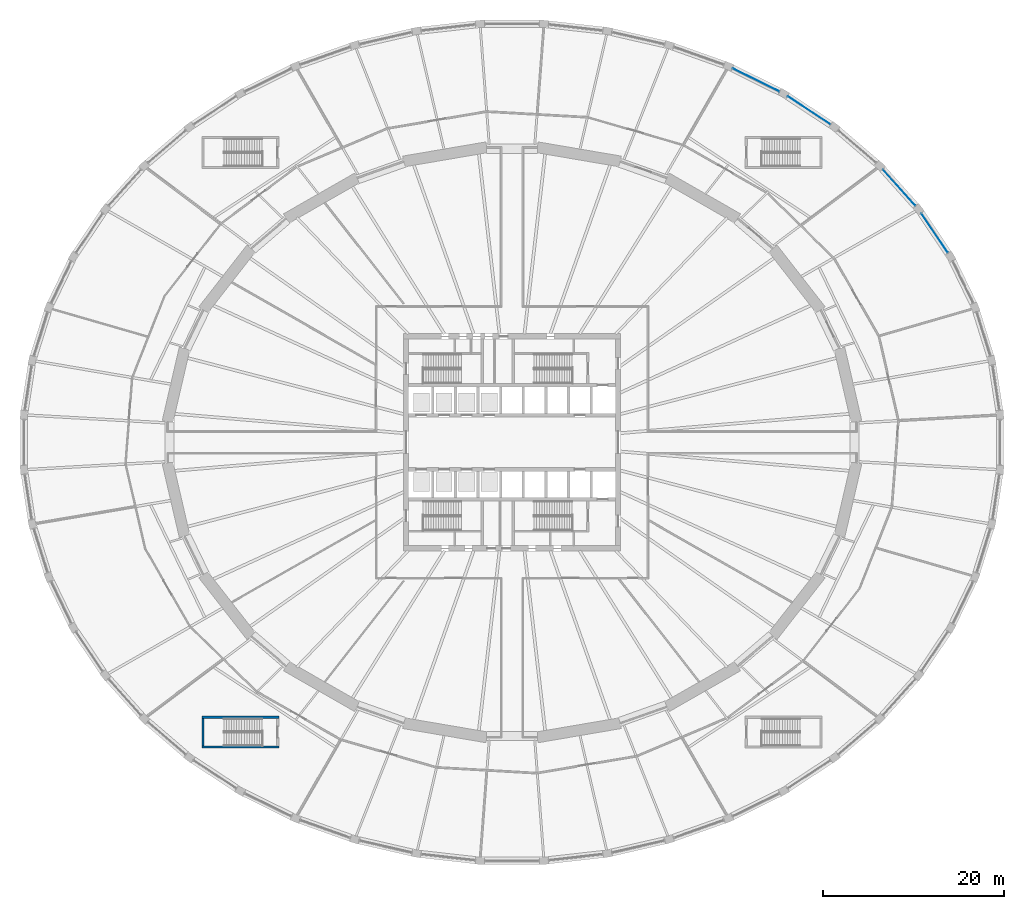
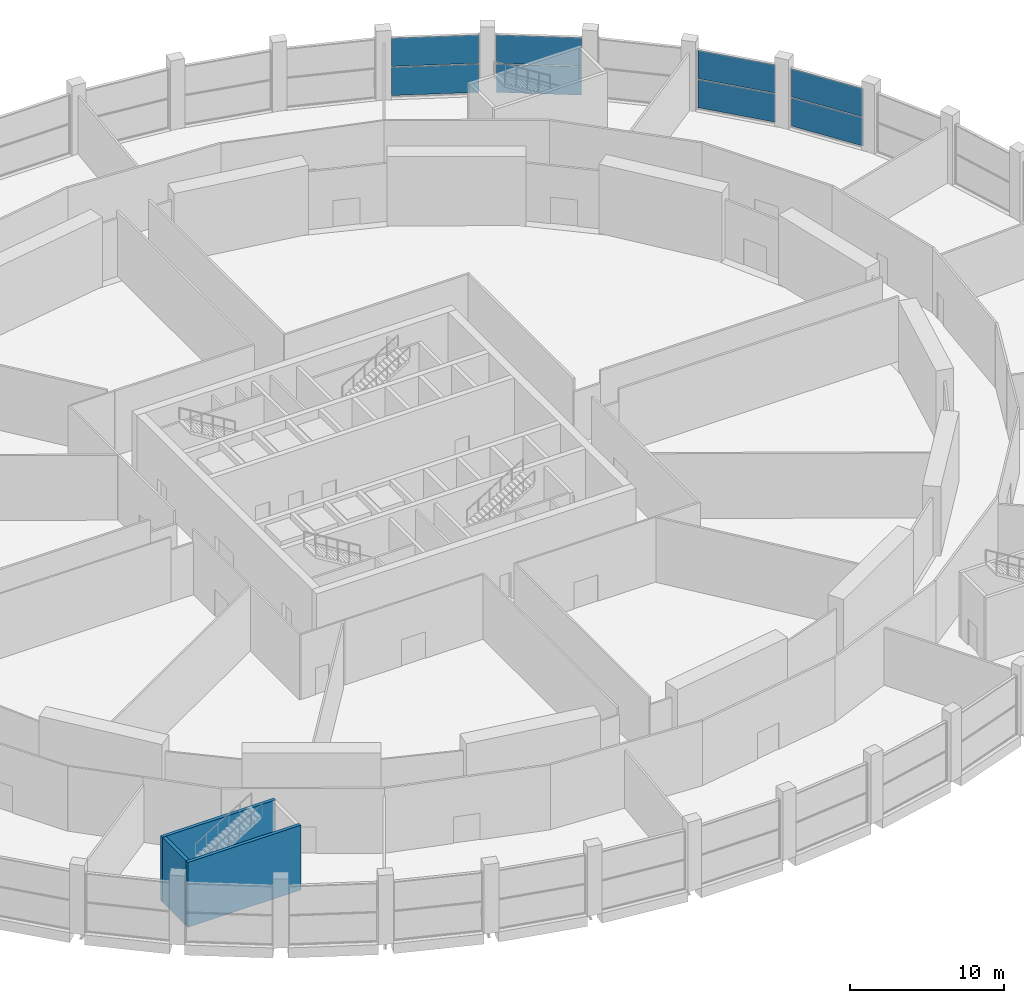
# One storey, part 20 of 29: 8 plates, 3 walls, 4 elements without a shape of their own.
"""IFC4 building model written with IfcOpenShell, lengths in metres."""

from ifc_helpers import new_model, si_unit, direction, frame, frame_2d, origin, origin_2d, place, context, subcontext, project, spatial, rectangle, extrude, material, layer, layer_set, type_object, element, aggregate, save


model = new_model("IFC4")

# Units and contexts
model_context = context("Model", 3, precision=1e-05, world=origin(), true_north=direction((0.0, 1.0)))
body_context = subcontext(model_context, "Body", "Model", "MODEL_VIEW")
ifc_project = project(units=[si_unit("LENGTHUNIT", "METRE"), si_unit("AREAUNIT", "SQUARE_METRE"), si_unit("VOLUMEUNIT", "CUBIC_METRE"), si_unit("PLANEANGLEUNIT", "RADIAN"), si_unit("MASSUNIT", "GRAM", prefix="KILO")], contexts=[model_context])

# Site, building, storey
site_placement = place(None, origin())
site = spatial("IfcSite", under=ifc_project, at=site_placement, CompositionType="ELEMENT")
building_placement = place(site_placement, origin())
building = spatial("IfcBuilding", under=site, at=building_placement, Name="Halqa Exchange Tower", CompositionType="ELEMENT")
storey_placement = place(building_placement, frame((0.0, 0.0, 7.0)))
storey = spatial("IfcBuildingStorey", under=building, at=storey_placement, Name="L01", CompositionType="ELEMENT", Elevation=7.0)

# Curtain wall, plates
ifc_material_1 = material(Name="Anodised aluminium and clear glass", Category="aluminium")
curtain_wall_type = type_object("IfcCurtainWallType", Name="Exchange hall glazing", PredefinedType="NOTDEFINED", material=ifc_material_1)
curtain_wall_1_placement = place(storey_placement, origin())
curtain_wall_1 = element("IfcCurtainWall", 1, at=curtain_wall_1_placement, inside=storey, type_object=curtain_wall_type, Name="Exchange hall glazing run P4", PredefinedType="NOTDEFINED")
ifc_material_2 = material(Name="Clear glass", Category="glass")
ifc_layer_1 = layer(ifc_material_2, 0.035888671875)
ifc_layer_set_1 = layer_set([ifc_layer_1], Name="Clear glass")
plate_type = type_object("IfcPlateType", Name="Laminated clear glass panel 36", PredefinedType="CURTAIN_PANEL", material=ifc_layer_set_1)
plate_1_placement = place(storey_placement, frame((46.665283203125, 23.100341796875, 0.06982421875), z_axis=(0.0, 0.0, 1.0), x_axis=(-0.55852230535, 0.8294895023, 0.0)))
plate_1 = element("IfcPlate", 2, at=plate_1_placement, type_object=plate_type, Name="P4 panel 1.1", PredefinedType="CURTAIN_PANEL", context=body_context, shape_type="SweptSolid", body=[
    extrude(rectangle(XDim=5.18310546875, YDim=0.035888671875, at=origin_2d()), origin(), (0.0, 0.0, 1.0), 2.2451171875),
])
plate_2_placement = place(storey_placement, frame((46.665283203125, 23.100341796875, 2.385009765625), z_axis=(0.0, 0.0, 1.0), x_axis=(-0.55852230535, 0.8294895023, 0.0)))
plate_2 = element("IfcPlate", 3, at=plate_2_placement, type_object=plate_type, Name="P4 panel 1.2", PredefinedType="CURTAIN_PANEL", context=body_context, shape_type="SweptSolid", body=[
    extrude(rectangle(XDim=5.18310546875, YDim=0.035888671875, at=origin_2d()), origin(), (0.0, 0.0, 1.0), 2.2451171875),
])
aggregate(curtain_wall_1, [plate_1, plate_2])

curtain_wall_2_placement = place(storey_placement, origin())
curtain_wall_2 = element("IfcCurtainWall", 4, at=curtain_wall_2_placement, inside=storey, type_object=curtain_wall_type, Name="Exchange hall glazing run P5", PredefinedType="NOTDEFINED")
plate_3_placement = place(storey_placement, frame((42.749267578125, 28.125244140625, 0.06982421875), z_axis=(0.0, 0.0, 1.0), x_axis=(-0.666899477539, 0.74514769466, 0.0)))
plate_3 = element("IfcPlate", 5, at=plate_3_placement, type_object=plate_type, Name="P5 panel 1.1", PredefinedType="CURTAIN_PANEL", context=body_context, shape_type="SweptSolid", body=[
    extrude(rectangle(XDim=5.30810546875, YDim=0.035888671875, at=origin_2d()), origin(), (0.0, 0.0, 1.0), 2.2451171875),
])
plate_4_placement = place(storey_placement, frame((42.749267578125, 28.125244140625, 2.385009765625), z_axis=(0.0, 0.0, 1.0), x_axis=(-0.666899477539, 0.74514769466, 0.0)))
plate_4 = element("IfcPlate", 6, at=plate_4_placement, type_object=plate_type, Name="P5 panel 1.2", PredefinedType="CURTAIN_PANEL", context=body_context, shape_type="SweptSolid", body=[
    extrude(rectangle(XDim=5.30810546875, YDim=0.035888671875, at=origin_2d()), origin(), (0.0, 0.0, 1.0), 2.2451171875),
])
aggregate(curtain_wall_2, [plate_3, plate_4])

curtain_wall_3_placement = place(storey_placement, origin())
curtain_wall_3 = element("IfcCurtainWall", 7, at=curtain_wall_3_placement, inside=storey, type_object=curtain_wall_type, Name="Exchange hall glazing run P7", PredefinedType="NOTDEFINED")
plate_5_placement = place(storey_placement, frame((32.802734375, 36.653564453125, 0.06982421875), z_axis=(0.0, 0.0, 1.0), x_axis=(-0.835414753652, 0.549620040919, 0.0)))
plate_5 = element("IfcPlate", 8, at=plate_5_placement, type_object=plate_type, Name="P7 panel 1.1", PredefinedType="CURTAIN_PANEL", context=body_context, shape_type="SweptSolid", body=[
    extrude(rectangle(XDim=5.56787109375, YDim=0.035888671875, at=origin_2d()), origin(), (0.0, 0.0, 1.0), 2.2451171875),
])
plate_6_placement = place(storey_placement, frame((32.802734375, 36.653564453125, 2.385009765625), z_axis=(0.0, 0.0, 1.0), x_axis=(-0.835414753652, 0.549620040919, 0.0)))
plate_6 = element("IfcPlate", 9, at=plate_6_placement, type_object=plate_type, Name="P7 panel 1.2", PredefinedType="CURTAIN_PANEL", context=body_context, shape_type="SweptSolid", body=[
    extrude(rectangle(XDim=5.56787109375, YDim=0.035888671875, at=origin_2d()), origin(), (0.0, 0.0, 1.0), 2.2451171875),
])
aggregate(curtain_wall_3, [plate_5, plate_6])

curtain_wall_4_placement = place(storey_placement, origin())
curtain_wall_4 = element("IfcCurtainWall", 10, at=curtain_wall_4_placement, inside=storey, type_object=curtain_wall_type, Name="Exchange hall glazing run P8", PredefinedType="NOTDEFINED")
plate_7_placement = place(storey_placement, frame((26.942138671875, 40.010986328125, 0.06982421875), z_axis=(0.0, 0.0, 1.0), x_axis=(-0.896198440934, 0.443653417058, 0.0)))
plate_7 = element("IfcPlate", 11, at=plate_7_placement, type_object=plate_type, Name="P8 panel 1.1", PredefinedType="CURTAIN_PANEL", context=body_context, shape_type="SweptSolid", body=[
    extrude(rectangle(XDim=5.685791015625, YDim=0.035888671875, at=origin_2d()), origin(), (0.0, 0.0, 1.0), 2.2451171875),
])
plate_8_placement = place(storey_placement, frame((26.942138671875, 40.010986328125, 2.385009765625), z_axis=(0.0, 0.0, 1.0), x_axis=(-0.896198440934, 0.443653417058, 0.0)))
plate_8 = element("IfcPlate", 12, at=plate_8_placement, type_object=plate_type, Name="P8 panel 1.2", PredefinedType="CURTAIN_PANEL", context=body_context, shape_type="SweptSolid", body=[
    extrude(rectangle(XDim=5.685791015625, YDim=0.035888671875, at=origin_2d()), origin(), (0.0, 0.0, 1.0), 2.2451171875),
])
aggregate(curtain_wall_4, [plate_7, plate_8])

# Walls
ifc_material_3 = material(Name="Concrete C30/37", Category="concrete")
ifc_layer_2 = layer(ifc_material_3, 0.25)
ifc_layer_set_2 = layer_set([ifc_layer_2], Name="Concrete C30/37")
wall_type = type_object("IfcWallType", Name="RC stair wall 250 C30/37", PredefinedType="SHEAR", material=ifc_layer_set_2)
for number, where, z_axis, x_axis, name in (
    (13, (-34.25, -30.35009765625, 0.0), (0.0, 0.0, 1.0), (1.0, 0.0, 0.0), "Stair PS4 wall north"),
    (14, (-34.25, -33.64990234375, 0.0), (0.0, 0.0, 1.0), (1.0, 0.0, 0.0), "Stair PS4 wall south"),
):
    element("IfcWall", number, at=place(storey_placement, frame(where, z_axis=z_axis, x_axis=x_axis)), inside=storey, type_object=wall_type, Name=name, PredefinedType="SHEAR", context=body_context, shape_type="SweptSolid", body=[
        extrude(rectangle(XDim=8.5, YDim=0.25, at=frame_2d((4.25, 0.0))), origin(), (0.0, 0.0, 1.0), 5.14990234375),
    ])
wall_placement = place(storey_placement, frame((-34.125, -33.52490234375, 0.0), z_axis=(0.0, 0.0, 1.0), x_axis=(0.0, 1.0, 0.0)))
element("IfcWall", 15, at=wall_placement, inside=storey, type_object=wall_type, Name="Stair PS4 wall west", PredefinedType="SHEAR", context=body_context, shape_type="SweptSolid", body=[
    extrude(rectangle(XDim=3.0498046875, YDim=0.25, at=frame_2d((1.52490234375, 0.0))), origin(), (0.0, 0.0, 1.0), 5.14990234375),
])

save(model, "model.ifc")
